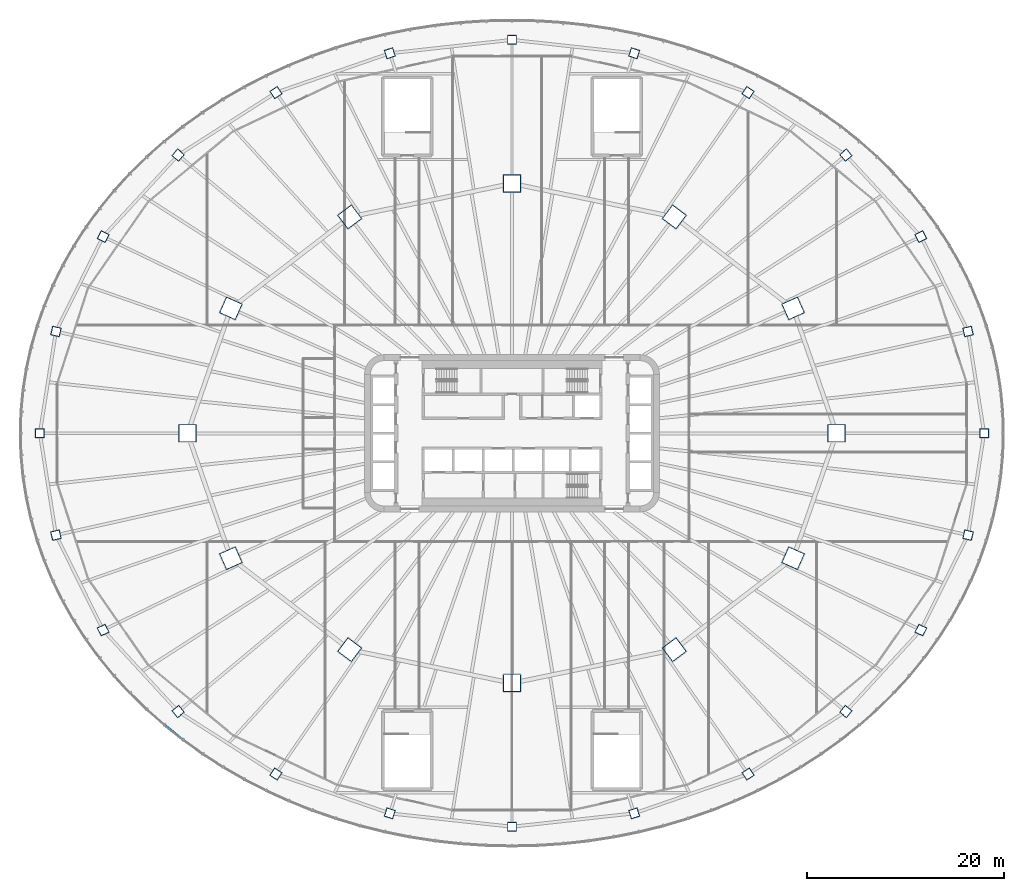
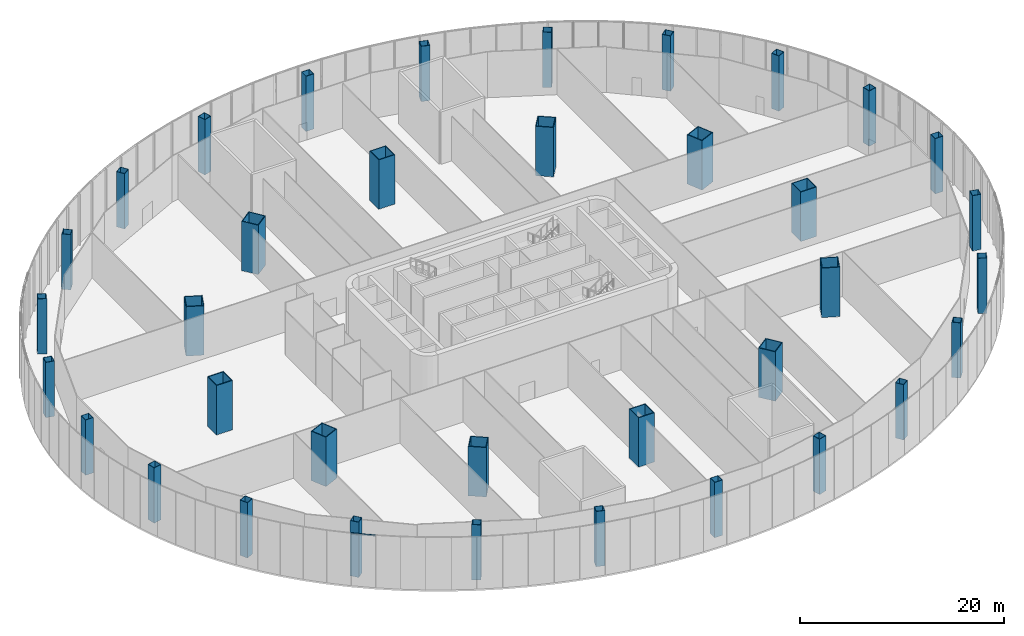
# One storey, part 1 of 33: 36 columns, 1 member, 1 element without a shape of its own.
"""IFC4 building model written with IfcOpenShell, lengths in metres."""

from ifc_helpers import new_model, si_unit, direction, frame, origin, origin_2d, place, context, subcontext, project, spatial, rectangle, hollow_rectangle, extrude, material, layer, layer_set, material_profile, profile_set, type_object, element, aggregate, save


model = new_model("IFC4")

# Units and contexts
model_context = context("Model", 3, precision=1e-05, world=origin(), true_north=direction((0.0, 1.0)))
body_context = subcontext(model_context, "Body", "Model", "MODEL_VIEW")
ifc_project = project(units=[si_unit("LENGTHUNIT", "METRE"), si_unit("AREAUNIT", "SQUARE_METRE"), si_unit("VOLUMEUNIT", "CUBIC_METRE"), si_unit("PLANEANGLEUNIT", "RADIAN"), si_unit("MASSUNIT", "GRAM", prefix="KILO")], contexts=[model_context])

# Site, building, storey
site_placement = place(None, origin())
site = spatial("IfcSite", under=ifc_project, at=site_placement, CompositionType="ELEMENT")
building_placement = place(site_placement, origin())
building = spatial("IfcBuilding", under=site, at=building_placement, Name="Sahrelin Media Tower", CompositionType="ELEMENT")
storey_placement = place(building_placement, frame((0.0, 0.0, 37.39990234375)))
storey = spatial("IfcBuildingStorey", under=building, at=storey_placement, Name="L05", CompositionType="ELEMENT", Elevation=37.39990234375)

# Columns
ifc_material_1 = material(Name="Steel S460", Category="steel")
ifc_material_profile_1 = material_profile(ifc_material_1, hollow_rectangle(XDim=1.800048828125, YDim=1.800048828125, WallThickness=0.080078125, at=origin_2d()), Name="Mega column MC1")
ifc_profile_set_1 = profile_set([ifc_material_profile_1], Name="Steel S460")
column_type_1 = type_object("IfcColumnType", Name="Mega column MC1", PredefinedType="COLUMN", material=ifc_profile_set_1)
for number, where, z_axis, x_axis, name in (
    (1, (33.0, 0.0, 0.0), (0.0, 0.0, 1.0), (1.0, 0.0, 0.0), "Mega column MC-00"),
    (2, (28.578857421875, 12.699951171875, 0.0), (0.0, 0.0, 1.0), (0.913831317054, 0.40609398416, 0.0), "Mega column MC-01"),
    (3, (16.5, 21.9970703125, 0.0), (0.0, 0.0, 1.0), (0.600051693363, 0.799961227368, 0.0), "Mega column MC-02"),
    (4, (0.0, 25.39990234375, 0.0), (0.0, 0.0, 1.0), (0.0, 1.0, 0.0), "Mega column MC-03"),
    (5, (-16.5, 21.9970703125, 0.0), (0.0, 0.0, 1.0), (-0.600051693363, 0.799961227368, 0.0), "Mega column MC-04"),
    (6, (-28.578857421875, 12.699951171875, 0.0), (0.0, 0.0, 1.0), (-0.913831317054, 0.40609398416, 0.0), "Mega column MC-05"),
    (7, (-33.0, 0.0, 0.0), (0.0, 0.0, 1.0), (-1.0, 0.0, 0.0), "Mega column MC-06"),
    (8, (-28.578857421875, -12.699951171875, 0.0), (0.0, 0.0, 1.0), (-0.913831317054, -0.40609398416, 0.0), "Mega column MC-07"),
    (9, (-16.5, -21.9970703125, 0.0), (0.0, 0.0, 1.0), (-0.600051693363, -0.799961227368, 0.0), "Mega column MC-08"),
    (10, (0.0, -25.39990234375, 0.0), (0.0, 0.0, 1.0), (0.0, -1.0, 0.0), "Mega column MC-09"),
    (11, (16.5, -21.9970703125, 0.0), (0.0, 0.0, 1.0), (0.600051693363, -0.799961227368, 0.0), "Mega column MC-10"),
    (12, (28.578857421875, -12.699951171875, 0.0), (0.0, 0.0, 1.0), (0.913831317054, -0.40609398416, 0.0), "Mega column MC-11"),
):
    element("IfcColumn", number, at=place(storey_placement, frame(where, z_axis=z_axis, x_axis=x_axis)), inside=storey, type_object=column_type_1, Name=name, PredefinedType="COLUMN", context=body_context, shape_type="SweptSolid", body=[
        extrude(hollow_rectangle(XDim=1.800048828125, YDim=1.800048828125, WallThickness=0.080078125, at=origin_2d()), origin(), (0.0, 0.0, 1.0), 5.900146484375),
    ])
ifc_material_profile_2 = material_profile(ifc_material_1, hollow_rectangle(XDim=0.89990234375, YDim=0.89990234375, WallThickness=0.0400390625, at=origin_2d()), Name="Podium column PC1")
ifc_profile_set_2 = profile_set([ifc_material_profile_2], Name="Steel S460")
column_type_2 = type_object("IfcColumnType", Name="Podium column PC1", PredefinedType="COLUMN", material=ifc_profile_set_2)
for number, where, z_axis, x_axis, name in (
    (13, (48.0, 0.0, 0.0), (0.0, 0.0, 1.0), (1.0, 0.0, 0.0), "Podium column PC-00"),
    (14, (46.364501953125, 10.352783203125, 0.0), (0.0, 0.0, 1.0), (0.975965471253, 0.217925214058, 0.0), "Podium column PC-01"),
    (15, (41.569091796875, 20.0, 0.0), (0.0, 0.0, 1.0), (0.901126969284, 0.433555285089, 0.0), "Podium column PC-02"),
    (16, (33.941162109375, 28.2841796875, 0.0), (0.0, 0.0, 1.0), (0.768220956602, 0.640184787259, 0.0), "Podium column PC-03"),
    (17, (24.0, 34.64111328125, 0.0), (0.0, 0.0, 1.0), (0.569494740726, 0.821994975827, 0.0), "Podium column PC-04"),
    (18, (12.42333984375, 38.636962890625, 0.0), (0.0, 0.0, 1.0), (0.306104074477, 0.951998054404, 0.0), "Podium column PC-05"),
    (19, (0.0, 40.0, 0.0), (0.0, 0.0, 1.0), (0.0, 1.0, 0.0), "Podium column PC-06"),
    (20, (-12.42333984375, 38.636962890625, 0.0), (0.0, 0.0, 1.0), (-0.306104074477, 0.951998054404, 0.0), "Podium column PC-07"),
    (21, (-24.0, 34.64111328125, 0.0), (0.0, 0.0, 1.0), (-0.569494740726, 0.821994975827, 0.0), "Podium column PC-08"),
    (22, (-33.941162109375, 28.2841796875, 0.0), (0.0, 0.0, 1.0), (-0.768220956602, 0.640184787259, 0.0), "Podium column PC-09"),
    (23, (-41.569091796875, 20.0, 0.0), (0.0, 0.0, 1.0), (-0.901126969284, 0.433555285089, 0.0), "Podium column PC-10"),
    (24, (-46.364501953125, 10.352783203125, 0.0), (0.0, 0.0, 1.0), (-0.975965471253, 0.217925214058, 0.0), "Podium column PC-11"),
    (25, (-48.0, 0.0, 0.0), (0.0, 0.0, 1.0), (-1.0, 0.0, 0.0), "Podium column PC-12"),
    (26, (-46.364501953125, -10.352783203125, 0.0), (0.0, 0.0, 1.0), (-0.975965471253, -0.217925214058, 0.0), "Podium column PC-13"),
    (27, (-41.569091796875, -20.0, 0.0), (0.0, 0.0, 1.0), (-0.901126969284, -0.433555285089, 0.0), "Podium column PC-14"),
    (28, (-33.941162109375, -28.2841796875, 0.0), (0.0, 0.0, 1.0), (-0.768220956602, -0.640184787259, 0.0), "Podium column PC-15"),
    (29, (-24.0, -34.64111328125, 0.0), (0.0, 0.0, 1.0), (-0.569494740726, -0.821994975827, 0.0), "Podium column PC-16"),
    (30, (-12.42333984375, -38.636962890625, 0.0), (0.0, 0.0, 1.0), (-0.306104074477, -0.951998054404, 0.0), "Podium column PC-17"),
    (31, (0.0, -40.0, 0.0), (0.0, 0.0, 1.0), (0.0, -1.0, 0.0), "Podium column PC-18"),
    (32, (12.42333984375, -38.636962890625, 0.0), (0.0, 0.0, 1.0), (0.306104074477, -0.951998054404, 0.0), "Podium column PC-19"),
    (33, (24.0, -34.64111328125, 0.0), (0.0, 0.0, 1.0), (0.569494740726, -0.821994975827, 0.0), "Podium column PC-20"),
    (34, (33.941162109375, -28.2841796875, 0.0), (0.0, 0.0, 1.0), (0.768220956602, -0.640184787259, 0.0), "Podium column PC-21"),
    (35, (41.569091796875, -20.0, 0.0), (0.0, 0.0, 1.0), (0.901126969284, -0.433555285089, 0.0), "Podium column PC-22"),
    (36, (46.364501953125, -10.352783203125, 0.0), (0.0, 0.0, 1.0), (0.975965471253, -0.217925214058, 0.0), "Podium column PC-23"),
):
    element("IfcColumn", number, at=place(storey_placement, frame(where, z_axis=z_axis, x_axis=x_axis)), inside=storey, type_object=column_type_2, Name=name, PredefinedType="COLUMN", context=body_context, shape_type="SweptSolid", body=[
        extrude(hollow_rectangle(XDim=0.89990234375, YDim=0.89990234375, WallThickness=0.0400390625, at=origin_2d()), origin(), (0.0, 0.0, 1.0), 6.60009765625),
    ])

# Curtain wall, member
ifc_material_2 = material(Name="Champagne anodised aluminium 6063-T6", Category="aluminium")
ifc_layer = layer(ifc_material_2, 0.14990234375)
ifc_layer_set = layer_set([ifc_layer], Name="Podium ribbon curtain wall")
curtain_wall_type = type_object("IfcCurtainWallType", Name="Podium ribbon curtain wall", PredefinedType="NOTDEFINED", material=ifc_layer_set)
curtain_wall_placement = place(storey_placement, frame((-35.355224609375, -29.698486328125, 0.0), z_axis=(0.0, 0.0, 1.0), x_axis=(1.0, 0.0, 0.0)))
curtain_wall = element("IfcCurtainWall", 37, at=curtain_wall_placement, inside=storey, type_object=curtain_wall_type, Name="L05:CW:L05-P15", PredefinedType="NOTDEFINED")
ifc_material_profile_3 = material_profile(ifc_material_2, rectangle(XDim=0.06005859375, YDim=0.14990234375, at=origin_2d()), Name="Transom 60x150")
ifc_profile_set_3 = profile_set([ifc_material_profile_3], Name="Champagne anodised aluminium 6063-T6")
member_type = type_object("IfcMemberType", Name="Transom 60x150 CW5", PredefinedType="USERDEFINED", material=ifc_profile_set_3)
member_placement = place(storey_placement, frame((-35.284912109375, -29.690673828125, 6.175048828125), z_axis=(0.781949308238, -0.62334202437, 0.0), x_axis=(0.62334202437, 0.781949308238, 0.0)))
member = element("IfcMember", 38, at=member_placement, type_object=member_type, Name="L05:CWT1a:L05-P15", ObjectType="TRANSOM", PredefinedType="USERDEFINED", context=body_context, shape_type="SweptSolid", body=[
    extrude(rectangle(XDim=0.06005859375, YDim=0.14990234375, at=origin_2d()), origin(), (0.0, 0.0, 1.0), 2.378173828125),
])
aggregate(curtain_wall, [member])

save(model, "model.ifc")
